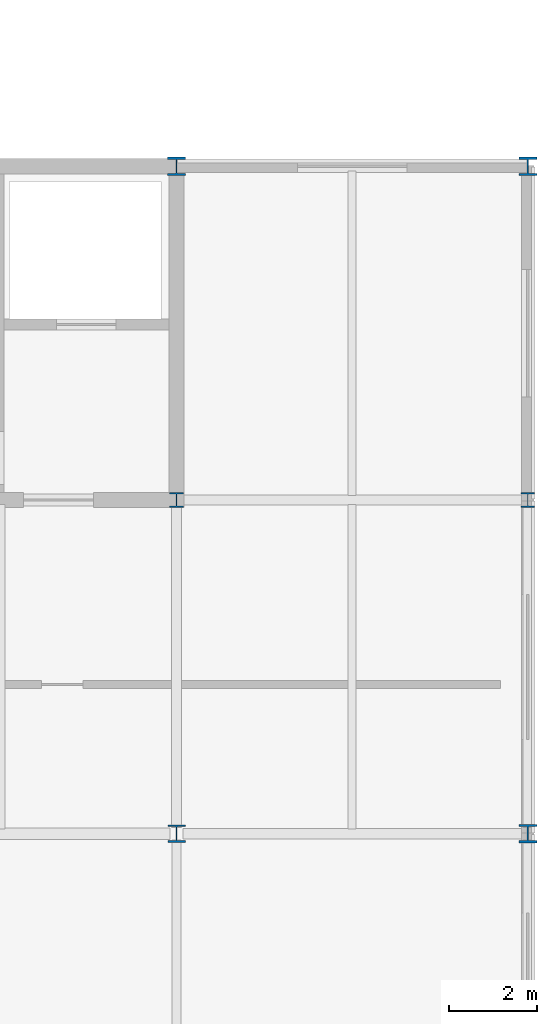
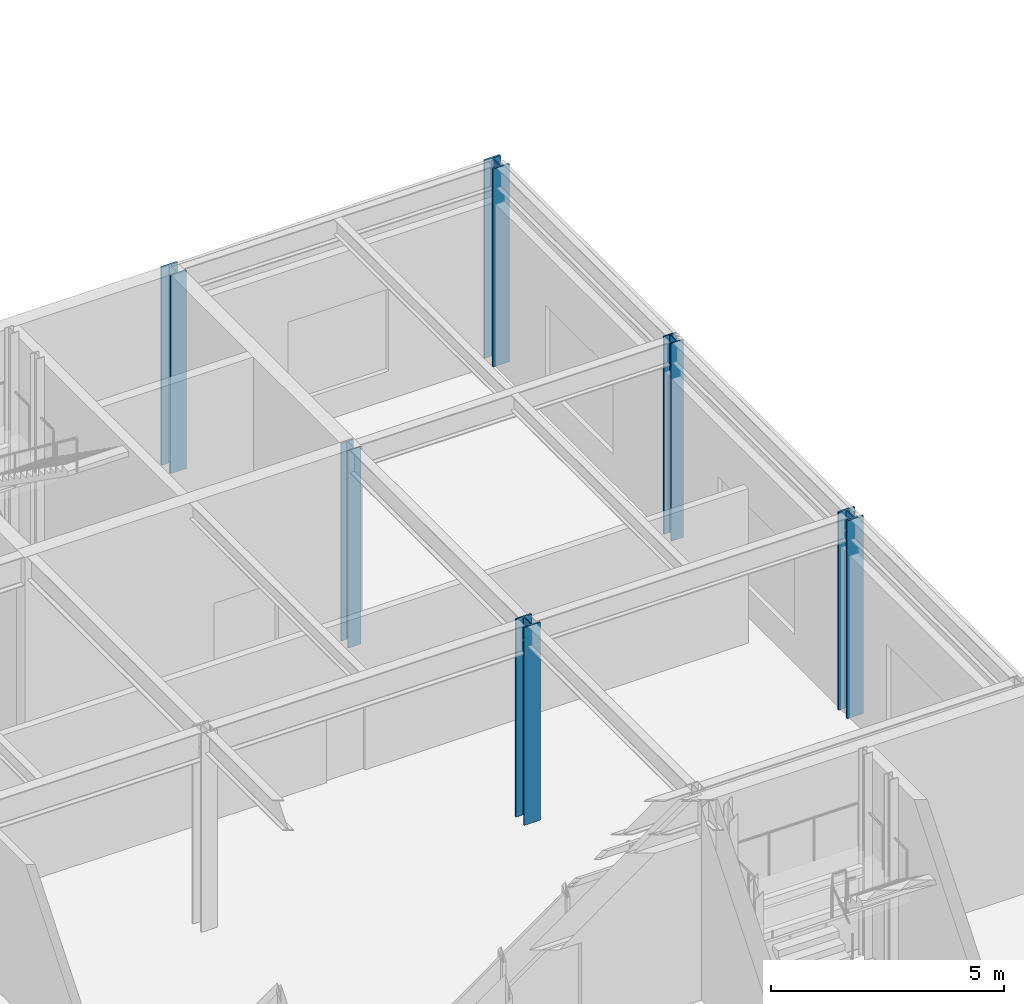
# One storey, part 20 of 94: 6 columns.
"""IFC4 building model written with IfcOpenShell, lengths in metres."""

from ifc_helpers import new_model, si_unit, direction, frame, origin, origin_2d, place, context, subcontext, project, spatial, i_section, extrude, material, material_profile, profile_set, type_object, element, save


model = new_model("IFC4")

# Units and contexts
model_context = context("Model", 3, precision=1e-05, world=origin(), true_north=direction((0.0, 1.0)))
body_context = subcontext(model_context, "Body", "Model", "MODEL_VIEW")
ifc_project = project(units=[si_unit("LENGTHUNIT", "METRE"), si_unit("AREAUNIT", "SQUARE_METRE"), si_unit("VOLUMEUNIT", "CUBIC_METRE"), si_unit("PLANEANGLEUNIT", "RADIAN"), si_unit("MASSUNIT", "GRAM", prefix="KILO")], contexts=[model_context])

# Site, building, storey
site_placement = place(None, origin())
site = spatial("IfcSite", under=ifc_project, at=site_placement, CompositionType="ELEMENT")
building_placement = place(site_placement, origin())
building = spatial("IfcBuilding", under=site, at=building_placement, Name="Zulena Civic Courthouse", CompositionType="ELEMENT")
storey_placement = place(building_placement, frame((0.0, 0.0, 5.39990234375)))
storey = spatial("IfcBuildingStorey", under=building, at=storey_placement, Name="L01", CompositionType="ELEMENT", Elevation=5.39990234375)

# Columns
ifc_material = material(Name="Steel ASTM A992 Grade 50", Category="steel")
ifc_material_profile_1 = material_profile(ifc_material, i_section(OverallWidth=0.31298828125, OverallDepth=0.3330078125, WebThickness=0.01806640625, FlangeThickness=0.0283203125, FilletRadius=0.01513671875, at=origin_2d()), Name="W12X120")
ifc_profile_set_1 = profile_set([ifc_material_profile_1], Name="Steel ASTM A992 Grade 50")
column_type_1 = type_object("IfcColumnType", Name="Col_W12X120", PredefinedType="COLUMN", material=ifc_profile_set_1)
for number, where, z_axis, x_axis, name in (
    (1, (164.0, 45.60009765625, 0.0), (0.0, 0.0, 1.0), (1.0, 0.0, 0.0), "col:V3:L01:164.0:45.6"),
    (2, (172.0, 45.60009765625, 0.0), (0.0, 0.0, 1.0), (1.0, 0.0, 0.0), "col:V3:L01:172.0:45.6"),
):
    element("IfcColumn", number, at=place(storey_placement, frame(where, z_axis=z_axis, x_axis=x_axis)), inside=storey, type_object=column_type_1, Name=name, PredefinedType="COLUMN", context=body_context, shape_type="SweptSolid", body=[
        extrude(i_section(OverallWidth=0.31298828125, OverallDepth=0.3330078125, WebThickness=0.01806640625, FlangeThickness=0.0283203125, FilletRadius=0.01513671875, at=origin_2d()), origin(), (0.0, 0.0, 1.0), 5.18505859375),
    ])
ifc_material_profile_2 = material_profile(ifc_material, i_section(OverallWidth=0.40087890625, OverallDepth=0.39892578125, WebThickness=0.02490234375, FlangeThickness=0.03955078125, FilletRadius=0.01513671875, at=origin_2d()), Name="W14X211")
ifc_profile_set_2 = profile_set([ifc_material_profile_2], Name="Steel ASTM A992 Grade 50")
column_type_2 = type_object("IfcColumnType", Name="Col_W14X211", PredefinedType="COLUMN", material=ifc_profile_set_2)
column_placement = place(storey_placement, frame((164.0, 38.0, 0.0), z_axis=(0.0, 0.0, 1.0), x_axis=(1.0, 0.0, 0.0)))
element("IfcColumn", 3, at=column_placement, inside=storey, type_object=column_type_2, Name="col:V3:L01:164.0:38.0", PredefinedType="COLUMN", context=body_context, shape_type="SweptSolid", body=[
    extrude(i_section(OverallWidth=0.40087890625, OverallDepth=0.39892578125, WebThickness=0.02490234375, FlangeThickness=0.03955078125, FilletRadius=0.01513671875, at=origin_2d()), origin(), (0.0, 0.0, 1.0), 5.18505859375),
])
ifc_material_profile_3 = material_profile(ifc_material, i_section(OverallWidth=0.406005859375, OverallDepth=0.416015625, WebThickness=0.02978515625, FlangeThickness=0.048095703125, FilletRadius=0.01513671875, at=origin_2d()), Name="W14X257")
ifc_profile_set_3 = profile_set([ifc_material_profile_3], Name="Steel ASTM A992 Grade 50")
column_type_3 = type_object("IfcColumnType", Name="Col_W14X257", PredefinedType="COLUMN", material=ifc_profile_set_3)
for number, where, z_axis, x_axis, name in (
    (4, (164.0, 53.199951171875, 0.0), (0.0, 0.0, 1.0), (1.0, 0.0, 0.0), "col:V3:L01:164.0:53.2"),
    (5, (172.0, 38.0, 0.0), (0.0, 0.0, 1.0), (1.0, 0.0, 0.0), "col:V3:L01:172.0:38.0"),
    (6, (172.0, 53.199951171875, 0.0), (0.0, 0.0, 1.0), (1.0, 0.0, 0.0), "col:V3:L01:172.0:53.2"),
):
    element("IfcColumn", number, at=place(storey_placement, frame(where, z_axis=z_axis, x_axis=x_axis)), inside=storey, type_object=column_type_3, Name=name, PredefinedType="COLUMN", context=body_context, shape_type="SweptSolid", body=[
        extrude(i_section(OverallWidth=0.406005859375, OverallDepth=0.416015625, WebThickness=0.02978515625, FlangeThickness=0.048095703125, FilletRadius=0.01513671875, at=origin_2d()), origin(), (0.0, 0.0, 1.0), 5.18505859375),
    ])

save(model, "model.ifc")
